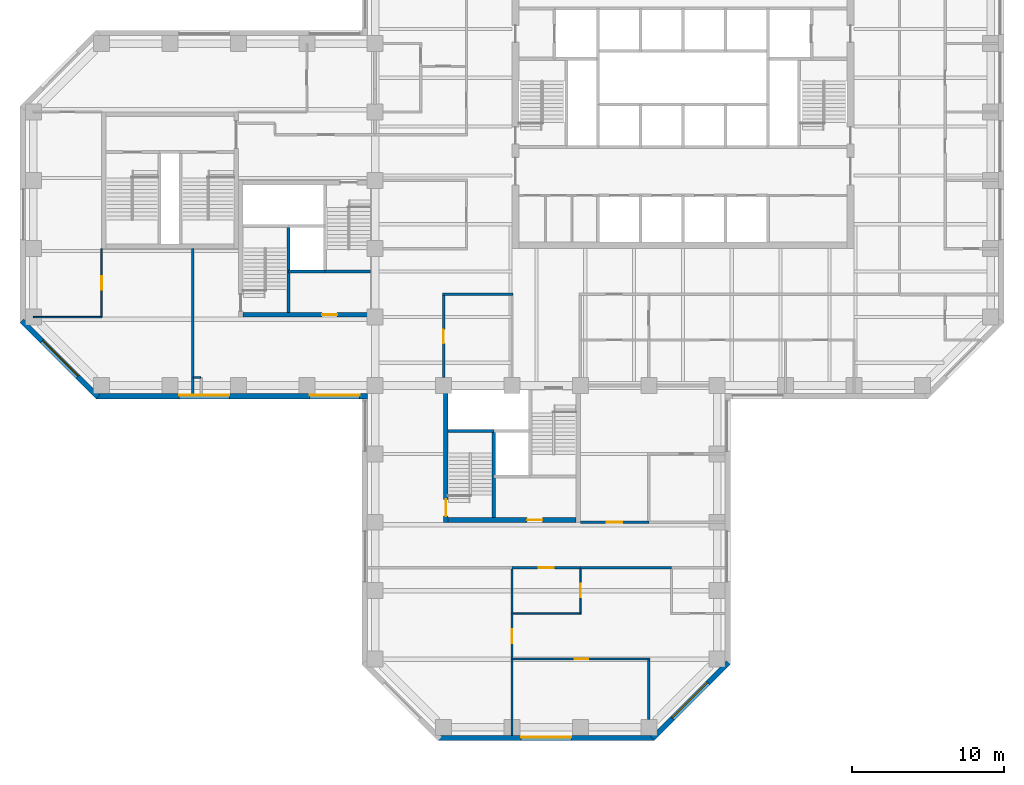
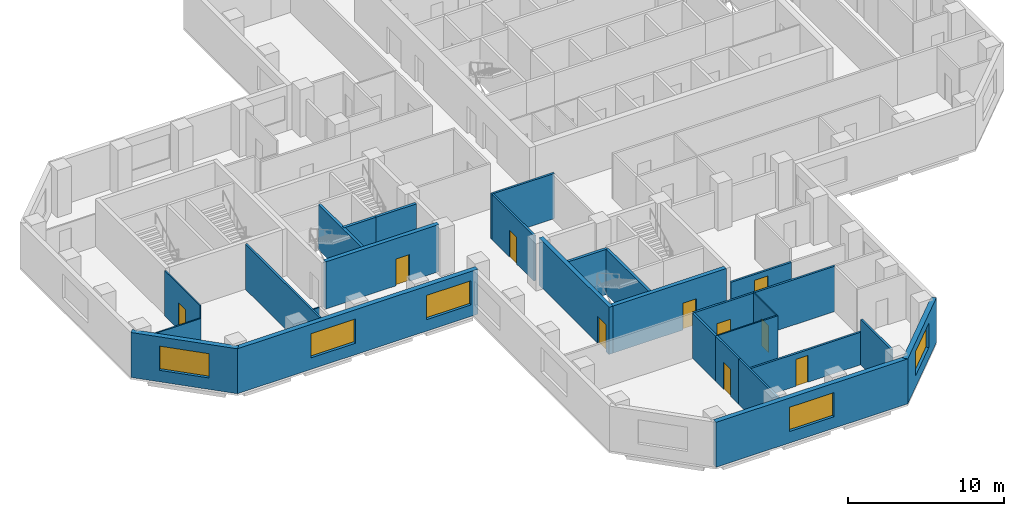
# One storey, part 3 of 11: 28 walls, 10 doors, 5 windows, 15 openings.
"""IFC4 building model written with IfcOpenShell, lengths in metres."""

from ifc_helpers import new_model, si_unit, direction, frame, frame_2d, origin, place, context, subcontext, project, spatial, rectangle, extrude, material, layer, layer_set, constituent, constituent_set, type_object, element, fill, save


model = new_model("IFC4")

# Units and contexts
model_context = context("Model", 3, precision=1e-05, world=origin(), true_north=direction((0.0, 1.0)))
body_context = subcontext(model_context, "Body", "Model", "MODEL_VIEW")
ifc_project = project(units=[si_unit("LENGTHUNIT", "METRE"), si_unit("AREAUNIT", "SQUARE_METRE"), si_unit("VOLUMEUNIT", "CUBIC_METRE"), si_unit("PLANEANGLEUNIT", "RADIAN"), si_unit("MASSUNIT", "GRAM", prefix="KILO")], contexts=[model_context])

# Site, building, storey
site_placement = place(None, origin())
site = spatial("IfcSite", under=ifc_project, at=site_placement, CompositionType="ELEMENT")
building_placement = place(site_placement, origin())
building = spatial("IfcBuilding", under=site, at=building_placement, Name="Quoin Convention Tower", CompositionType="ELEMENT")
storey_placement = place(building_placement, frame((0.0, 0.0, 101.10009765625)))
storey = spatial("IfcBuildingStorey", under=building, at=storey_placement, Name="L26", CompositionType="ELEMENT", Elevation=101.10009765625)

# Walls
ifc_material_1 = material(Name="Plasterboard")
ifc_layer_1 = layer(ifc_material_1, 0.012451171875, Name="Finish")
ifc_material_2 = material(Name="Steel stud framing", Category="steel")
ifc_layer_2 = layer(ifc_material_2, 0.125, Name="Structure")
ifc_layer_3 = layer(ifc_material_1, 0.012451171875, Name="Finish")
ifc_layer_set_1 = layer_set([ifc_layer_1, ifc_layer_2, ifc_layer_3], Name="Steel stud framing")
wall_type_1 = type_object("IfcWallType", Name="Acoustic partition 150", PredefinedType="PARTITIONING", material=ifc_layer_set_1)
wall_1_placement = place(storey_placement, frame((45.0, 17.47509765625, 0.0), z_axis=(0.0, 0.0, 1.0), x_axis=(0.0, 1.0, 0.0)))
element("IfcWall", 1, at=wall_1_placement, inside=storey, type_object=wall_type_1, Name="pw-L26-050", PredefinedType="PARTITIONING", context=body_context, shape_type="SweptSolid", body=[
    extrude(rectangle(XDim=5.02490234375, YDim=0.14990234375, at=frame_2d((2.512451171875, 0.0))), origin(), (0.0, 0.0, 1.0), 3.5498046875),
])
wall_2_placement = place(storey_placement, frame((54.0, 18.52490234375, 0.0), z_axis=(0.0, 0.0, 1.0), x_axis=(0.0, 1.0, 0.0)))
element("IfcWall", 2, at=wall_2_placement, inside=storey, type_object=wall_type_1, Name="pw-L26-051", PredefinedType="PARTITIONING", context=body_context, shape_type="SweptSolid", body=[
    extrude(rectangle(XDim=3.900146484375, YDim=0.14990234375, at=frame_2d((1.9501953125, 0.0))), origin(), (0.0, 0.0, 1.0), 3.5498046875),
])

# Wall, opening, door
wall_3_placement = place(storey_placement, frame((45.0, 22.5, 0.0), z_axis=(0.0, 0.0, 1.0), x_axis=(0.0, 1.0, 0.0)))
wall_3 = element("IfcWall", 3, at=wall_3_placement, inside=storey, type_object=wall_type_1, Name="pw-L26-052", PredefinedType="PARTITIONING", context=body_context, shape_type="SweptSolid", body=[
    extrude(rectangle(XDim=3.0, YDim=0.14990234375, at=frame_2d((1.5, 0.0))), origin(), (0.0, 0.0, 1.0), 3.5498046875),
])
opening_1_placement = place(wall_3_placement, frame((1.050048828125, 0.0, 0.0)))
opening_1 = element("IfcOpeningElement", 4, at=opening_1_placement, cuts=wall_3, Name="Opening DOL4-17", PredefinedType="OPENING", context=body_context, shape_type="SweptSolid", body=[
    extrude(rectangle(XDim=0.89990234375, YDim=2.10009765625, at=frame_2d((0.449951171875, 1.050048828125))), frame((0.0, 0.0849609375, 0.0), z_axis=(0.0, -1.0, 0.0), x_axis=(1.0, 0.0, 0.0)), (0.0, 0.0, 1.0), 0.169921875),
])
ifc_material_3 = material(Name="Steel door leaf", Category="steel")
door_type_1 = type_object("IfcDoorType", Name="Office door 900 x 2100", OperationType="SINGLE_SWING_RIGHT", PredefinedType="DOOR", material=ifc_material_3)
door_1_placement = place(opening_1_placement, origin())
door_1 = element("IfcDoor", 5, at=door_1_placement, inside=storey, type_object=door_type_1, Name="dr-L26-13", OperationType="SINGLE_SWING_RIGHT", OverallHeight=2.10009765625, OverallWidth=0.89990234375, PredefinedType="DOOR", context=body_context, shape_type="SweptSolid", body=[
    extrude(rectangle(XDim=0.89990234375, YDim=2.10009765625, at=frame_2d((0.449951171875, 1.050048828125))), frame((0.0, 0.02490234375, 0.0), z_axis=(0.0, -1.0, 0.0), x_axis=(1.0, 0.0, 0.0)), (0.0, 0.0, 1.0), 0.050048828125),
])
fill(opening_1, door_1)

# Wall
wall_4_placement = place(storey_placement, frame((45.0, 25.5, 0.0), z_axis=(0.0, 0.0, 1.0), x_axis=(0.0, 1.0, 0.0)))
element("IfcWall", 6, at=wall_4_placement, inside=storey, type_object=wall_type_1, Name="pw-L26-053", PredefinedType="PARTITIONING", context=body_context, shape_type="SweptSolid", body=[
    extrude(rectangle(XDim=2.925048828125, YDim=0.14990234375, at=frame_2d((1.46240234375, 0.0))), origin(), (0.0, 0.0, 1.0), 3.5498046875),
])

# Wall, opening, door
ifc_layer_4 = layer(ifc_material_1, 0.012451171875, Name="Finish")
ifc_layer_5 = layer(ifc_material_2, 0.125, Name="Structure")
ifc_layer_6 = layer(ifc_material_1, 0.012451171875, Name="Finish")
ifc_layer_set_2 = layer_set([ifc_layer_4, ifc_layer_5, ifc_layer_6], Name="Steel stud framing")
wall_type_2 = type_object("IfcWallType", Name="Acoustic partition 150 under beam 1000", PredefinedType="PARTITIONING", material=ifc_layer_set_2)
wall_5_placement = place(storey_placement, frame((45.074951171875, 22.5, 0.0), z_axis=(0.0, 0.0, 1.0), x_axis=(1.0, 0.0, 0.0)))
wall_5 = element("IfcWall", 7, at=wall_5_placement, inside=storey, type_object=wall_type_2, Name="pw-L26-001", PredefinedType="PARTITIONING", context=body_context, shape_type="SweptSolid", body=[
    extrude(rectangle(XDim=9.0, YDim=0.14990234375, at=frame_2d((4.5, 0.0))), origin(), (0.0, 0.0, 1.0), 2.5498046875),
])
opening_2_placement = place(wall_5_placement, frame((4.050048828125, 0.0, 0.0)))
opening_2 = element("IfcOpeningElement", 8, at=opening_2_placement, cuts=wall_5, Name="Opening DOL4-01", PredefinedType="OPENING", context=body_context, shape_type="SweptSolid", body=[
    extrude(rectangle(XDim=0.89990234375, YDim=2.10009765625, at=frame_2d((0.449951171875, 1.050048828125))), frame((0.0, 0.0849609375, 0.0), z_axis=(0.0, -1.0, 0.0), x_axis=(1.0, 0.0, 0.0)), (0.0, 0.0, 1.0), 0.169921875),
])
door_2_placement = place(opening_2_placement, origin())
door_2 = element("IfcDoor", 9, at=door_2_placement, inside=storey, type_object=door_type_1, Name="dr-L26-14", OperationType="SINGLE_SWING_RIGHT", OverallHeight=2.10009765625, OverallWidth=0.89990234375, PredefinedType="DOOR", context=body_context, shape_type="SweptSolid", body=[
    extrude(rectangle(XDim=0.89990234375, YDim=2.10009765625, at=frame_2d((0.449951171875, 1.050048828125))), frame((0.0, 0.02490234375, 0.0), z_axis=(0.0, -1.0, 0.0), x_axis=(1.0, 0.0, 0.0)), (0.0, 0.0, 1.0), 0.050048828125),
])
fill(opening_2, door_2)

# Wall, opening, window
ifc_material_4 = material(Name="Brick masonry", Category="masonry")
ifc_layer_7 = layer(ifc_material_4, 0.35009765625)
ifc_layer_set_3 = layer_set([ifc_layer_7], Name="Brick masonry")
wall_type_3 = type_object("IfcWallType", Name="Brick facade wall", PredefinedType="STANDARD", material=ifc_layer_set_3)
wall_6_placement = place(storey_placement, frame((12.748779296875, 44.76123046875, 0.0), z_axis=(0.0, 0.0, 1.0), x_axis=(0.707106781187, -0.707106781187, 0.0)))
wall_6 = element("IfcWall", 10, at=wall_6_placement, inside=storey, type_object=wall_type_3, Name="fw-L26-13500_45000", PredefinedType="STANDARD", context=body_context, shape_type="SweptSolid", body=[
    extrude(rectangle(XDim=7.088623046875, YDim=0.35009765625, at=frame_2d((3.54443359375, 0.0))), origin(), (0.0, 0.0, 1.0), 3.52490234375),
])
opening_3_placement = place(wall_6_placement, frame((1.894287109375, 0.0, 0.89990234375)))
opening_3 = element("IfcOpeningElement", 11, at=opening_3_placement, cuts=wall_6, Name="Opening W-02", PredefinedType="OPENING", context=body_context, shape_type="SweptSolid", body=[
    extrude(rectangle(XDim=3.300048828125, YDim=1.89990234375, at=frame_2d((1.64990234375, 0.949951171875))), frame((0.0, 0.18505859375, 0.0), z_axis=(0.0, -1.0, 0.0), x_axis=(1.0, 0.0, 0.0)), (0.0, 0.0, 1.0), 0.3701171875),
])
ifc_material_5 = material(Name="Aluminium", Category="aluminium")
ifc_constituent_1 = constituent(ifc_material_5, Name="Frame")
ifc_material_6 = material(Name="Insulated glass", Category="glass")
ifc_constituent_2 = constituent(ifc_material_6, Name="Glazing")
ifc_constituent_set = constituent_set(constituents=[ifc_constituent_1, ifc_constituent_2], Name="Aluminium")
window_type = type_object("IfcWindowType", Name="Office window", PartitioningType="DOUBLE_PANEL_VERTICAL", PredefinedType="WINDOW", material=ifc_constituent_set)
window_1_placement = place(opening_3_placement, origin())
window_1 = element("IfcWindow", 12, at=window_1_placement, inside=storey, type_object=window_type, Name="win-L26-15255_42255", OverallHeight=1.89990234375, OverallWidth=3.300048828125, PartitioningType="SINGLE_PANEL", PredefinedType="WINDOW", context=body_context, shape_type="SweptSolid", body=[
    extrude(rectangle(XDim=3.300048828125, YDim=1.89990234375, at=frame_2d((1.64990234375, 0.949951171875))), frame((0.0, 0.0849609375, 0.0), z_axis=(0.0, -1.0, 0.0), x_axis=(1.0, 0.0, 0.0)), (0.0, 0.0, 1.0), 0.06005859375),
])
fill(opening_3, window_1)

# Wall, openings, windows
wall_7_placement = place(storey_placement, frame((17.6376953125, 39.800048828125, 0.0), z_axis=(0.0, 0.0, 1.0), x_axis=(1.0, 0.0, 0.0)))
wall_7 = element("IfcWall", 13, at=wall_7_placement, inside=storey, type_object=wall_type_3, Name="fw-L26-18000_40500", PredefinedType="STANDARD", context=body_context, shape_type="SweptSolid", body=[
    extrude(rectangle(XDim=17.83740234375, YDim=0.35009765625, at=frame_2d((8.918701171875, 0.0))), origin(), (0.0, 0.0, 1.0), 3.52490234375),
])
opening_4_placement = place(wall_7_placement, frame((5.46240234375, 0.0, 0.89990234375)))
opening_4 = element("IfcOpeningElement", 14, at=opening_4_placement, cuts=wall_7, Name="Opening W-02", PredefinedType="OPENING", context=body_context, shape_type="SweptSolid", body=[
    extrude(rectangle(XDim=3.300048828125, YDim=1.89990234375, at=frame_2d((1.64990234375, 0.949951171875))), frame((0.0, 0.18505859375, 0.0), z_axis=(0.0, -1.0, 0.0), x_axis=(1.0, 0.0, 0.0)), (0.0, 0.0, 1.0), 0.3701171875),
])
opening_5_placement = place(wall_7_placement, frame((14.037353515625, 0.0, 0.89990234375)))
opening_5 = element("IfcOpeningElement", 15, at=opening_5_placement, cuts=wall_7, Name="Opening W-02", PredefinedType="OPENING", context=body_context, shape_type="SweptSolid", body=[
    extrude(rectangle(XDim=3.300048828125, YDim=1.89990234375, at=frame_2d((1.64990234375, 0.949951171875))), frame((0.0, 0.18505859375, 0.0), z_axis=(0.0, -1.0, 0.0), x_axis=(1.0, 0.0, 0.0)), (0.0, 0.0, 1.0), 0.3701171875),
])
window_2_placement = place(opening_4_placement, origin())
window_2 = element("IfcWindow", 16, at=window_2_placement, inside=storey, type_object=window_type, Name="win-L26-24750_39800", OverallHeight=1.89990234375, OverallWidth=3.300048828125, PartitioningType="SINGLE_PANEL", PredefinedType="WINDOW", context=body_context, shape_type="SweptSolid", body=[
    extrude(rectangle(XDim=3.300048828125, YDim=1.89990234375, at=frame_2d((1.64990234375, 0.949951171875))), frame((0.0, 0.0849609375, 0.0), z_axis=(0.0, -1.0, 0.0), x_axis=(1.0, 0.0, 0.0)), (0.0, 0.0, 1.0), 0.06005859375),
])
fill(opening_4, window_2)
window_3_placement = place(opening_5_placement, origin())
window_3 = element("IfcWindow", 17, at=window_3_placement, inside=storey, type_object=window_type, Name="win-L26-33750_39800", OverallHeight=1.89990234375, OverallWidth=3.300048828125, PartitioningType="SINGLE_PANEL", PredefinedType="WINDOW", context=body_context, shape_type="SweptSolid", body=[
    extrude(rectangle(XDim=3.300048828125, YDim=1.89990234375, at=frame_2d((1.64990234375, 0.949951171875))), frame((0.0, 0.0849609375, 0.0), z_axis=(0.0, -1.0, 0.0), x_axis=(1.0, 0.0, 0.0)), (0.0, 0.0, 1.0), 0.06005859375),
])
fill(opening_5, window_3)

# Wall, opening, window
wall_8_placement = place(storey_placement, frame((40.1376953125, 17.300048828125, 0.0), z_axis=(0.0, 0.0, 1.0), x_axis=(1.0, 0.0, 0.0)))
wall_8 = element("IfcWall", 18, at=wall_8_placement, inside=storey, type_object=wall_type_3, Name="fw-L26-40500_18000", PredefinedType="STANDARD", context=body_context, shape_type="SweptSolid", body=[
    extrude(rectangle(XDim=14.224609375, YDim=0.35009765625, at=frame_2d((7.1123046875, 0.0))), origin(), (0.0, 0.0, 1.0), 3.52490234375),
])
opening_6_placement = place(wall_8_placement, frame((5.46240234375, 0.0, 0.89990234375)))
opening_6 = element("IfcOpeningElement", 19, at=opening_6_placement, cuts=wall_8, Name="Opening W-02", PredefinedType="OPENING", context=body_context, shape_type="SweptSolid", body=[
    extrude(rectangle(XDim=3.300048828125, YDim=1.89990234375, at=frame_2d((1.64990234375, 0.949951171875))), frame((0.0, 0.18505859375, 0.0), z_axis=(0.0, -1.0, 0.0), x_axis=(1.0, 0.0, 0.0)), (0.0, 0.0, 1.0), 0.3701171875),
])
window_4_placement = place(opening_6_placement, origin())
window_4 = element("IfcWindow", 20, at=window_4_placement, inside=storey, type_object=window_type, Name="win-L26-47250_17300", OverallHeight=1.89990234375, OverallWidth=3.300048828125, PartitioningType="SINGLE_PANEL", PredefinedType="WINDOW", context=body_context, shape_type="SweptSolid", body=[
    extrude(rectangle(XDim=3.300048828125, YDim=1.89990234375, at=frame_2d((1.64990234375, 0.949951171875))), frame((0.0, 0.0849609375, 0.0), z_axis=(0.0, -1.0, 0.0), x_axis=(1.0, 0.0, 0.0)), (0.0, 0.0, 1.0), 0.06005859375),
])
fill(opening_6, window_4)

wall_9_placement = place(storey_placement, frame((54.23876953125, 17.248779296875, 0.0), z_axis=(0.0, 0.0, 1.0), x_axis=(0.707106781187, 0.707106781187, 0.0)))
wall_9 = element("IfcWall", 21, at=wall_9_placement, inside=storey, type_object=wall_type_3, Name="fw-L26-54000_18000", PredefinedType="STANDARD", context=body_context, shape_type="SweptSolid", body=[
    extrude(rectangle(XDim=7.088623046875, YDim=0.35009765625, at=frame_2d((3.54443359375, 0.0))), origin(), (0.0, 0.0, 1.0), 3.52490234375),
])
opening_7_placement = place(wall_9_placement, frame((1.894287109375, 0.0, 0.89990234375)))
opening_7 = element("IfcOpeningElement", 22, at=opening_7_placement, cuts=wall_9, Name="Opening W-02", PredefinedType="OPENING", context=body_context, shape_type="SweptSolid", body=[
    extrude(rectangle(XDim=3.300048828125, YDim=1.89990234375, at=frame_2d((1.64990234375, 0.949951171875))), frame((0.0, 0.18505859375, 0.0), z_axis=(0.0, -1.0, 0.0), x_axis=(1.0, 0.0, 0.0)), (0.0, 0.0, 1.0), 0.3701171875),
])
window_5_placement = place(opening_7_placement, origin())
window_5 = element("IfcWindow", 23, at=window_5_placement, inside=storey, type_object=window_type, Name="win-L26-56745_19755", OverallHeight=1.89990234375, OverallWidth=3.300048828125, PartitioningType="SINGLE_PANEL", PredefinedType="WINDOW", context=body_context, shape_type="SweptSolid", body=[
    extrude(rectangle(XDim=3.300048828125, YDim=1.89990234375, at=frame_2d((1.64990234375, 0.949951171875))), frame((0.0, 0.0849609375, 0.0), z_axis=(0.0, -1.0, 0.0), x_axis=(1.0, 0.0, 0.0)), (0.0, 0.0, 1.0), 0.06005859375),
])
fill(opening_7, window_5)

# Walls
ifc_material_7 = material(Name="Concrete C50", Category="concrete")
ifc_layer_8 = layer(ifc_material_7, 0.199951171875)
ifc_layer_set_4 = layer_set([ifc_layer_8], Name="Concrete C50")
wall_type_4 = type_object("IfcWallType", Name="Core shaft wall", PredefinedType="SOLIDWALL", material=ifc_layer_set_4)
wall_10_placement = place(storey_placement, frame((30.300048828125, 48.0, 0.0), z_axis=(0.0, 0.0, 1.0), x_axis=(1.0, 0.0, 0.0)))
element("IfcWall", 24, at=wall_10_placement, inside=storey, type_object=wall_type_4, Name="cr-P2-L26-h3000_3300", PredefinedType="SOLIDWALL", context=body_context, shape_type="SweptSolid", body=[
    extrude(rectangle(XDim=2.39990234375, YDim=0.199951171875, at=frame_2d((1.199951171875, 0.0))), origin(), (0.0, 0.0, 1.0), 3.5498046875),
])
wall_11_placement = place(storey_placement, frame((32.699951171875, 48.0, 0.0), z_axis=(0.0, 0.0, 1.0), x_axis=(1.0, 0.0, 0.0)))
element("IfcWall", 25, at=wall_11_placement, inside=storey, type_object=wall_type_4, Name="cr-P2-L26-h3000_5700", PredefinedType="SOLIDWALL", context=body_context, shape_type="SweptSolid", body=[
    extrude(rectangle(XDim=3.0, YDim=0.199951171875, at=frame_2d((1.5, 0.0))), origin(), (0.0, 0.0, 1.0), 3.5498046875),
])
wall_12_placement = place(storey_placement, frame((30.300048828125, 45.300048828125, 0.0), z_axis=(0.0, 0.0, 1.0), x_axis=(0.0, 1.0, 0.0)))
element("IfcWall", 26, at=wall_12_placement, inside=storey, type_object=wall_type_4, Name="cr-P2-L26-v3300_300", PredefinedType="SOLIDWALL", context=body_context, shape_type="SweptSolid", body=[
    extrude(rectangle(XDim=5.699951171875, YDim=0.199951171875, at=frame_2d((2.85009765625, 0.0))), origin(), (0.0, 0.0, 1.0), 3.5498046875),
])
wall_13_placement = place(storey_placement, frame((40.800048828125, 37.5, 0.0), z_axis=(0.0, 0.0, 1.0), x_axis=(1.0, 0.0, 0.0)))
element("IfcWall", 27, at=wall_13_placement, inside=storey, type_object=wall_type_4, Name="cr-P3-L26-h6000_300", PredefinedType="SOLIDWALL", context=body_context, shape_type="SweptSolid", body=[
    extrude(rectangle(XDim=3.0, YDim=0.199951171875, at=frame_2d((1.5, 0.0))), origin(), (0.0, 0.0, 1.0), 3.5498046875),
])
wall_14_placement = place(storey_placement, frame((43.800048828125, 31.800048828125, 0.0), z_axis=(0.0, 0.0, 1.0), x_axis=(0.0, 1.0, 0.0)))
element("IfcWall", 28, at=wall_14_placement, inside=storey, type_object=wall_type_4, Name="cr-P3-L26-v3300_300", PredefinedType="SOLIDWALL", context=body_context, shape_type="SweptSolid", body=[
    extrude(rectangle(XDim=5.699951171875, YDim=0.199951171875, at=frame_2d((2.85009765625, 0.0))), origin(), (0.0, 0.0, 1.0), 3.5498046875),
])

# Wall, opening, door
ifc_layer_9 = layer(ifc_material_1, 0.012451171875, Name="Finish")
ifc_layer_10 = layer(ifc_material_2, 0.125, Name="Structure")
ifc_layer_11 = layer(ifc_material_1, 0.012451171875, Name="Finish")
ifc_layer_set_5 = layer_set([ifc_layer_9, ifc_layer_10, ifc_layer_11], Name="Steel stud framing")
wall_type_5 = type_object("IfcWallType", Name="Corridor wall 150", PredefinedType="PARTITIONING", material=ifc_layer_set_5)
wall_15_placement = place(storey_placement, frame((45.0, 28.5, 0.0), z_axis=(0.0, 0.0, 1.0), x_axis=(1.0, 0.0, 0.0)))
wall_15 = element("IfcWall", 29, at=wall_15_placement, inside=storey, type_object=wall_type_5, Name="pw-L26-005", PredefinedType="PARTITIONING", context=body_context, shape_type="SweptSolid", body=[
    extrude(rectangle(XDim=4.5, YDim=0.14990234375, at=frame_2d((2.25, 0.0))), origin(), (0.0, 0.0, 1.0), 3.5498046875),
])
opening_8_placement = place(wall_15_placement, frame((1.75, 0.0, 0.0)))
opening_8 = element("IfcOpeningElement", 30, at=opening_8_placement, cuts=wall_15, Name="Opening DOL4-03", PredefinedType="OPENING", context=body_context, shape_type="SweptSolid", body=[
    extrude(rectangle(XDim=1.0, YDim=2.10009765625, at=frame_2d((0.5, 1.050048828125))), frame((0.0, 0.0849609375, 0.0), z_axis=(0.0, -1.0, 0.0), x_axis=(1.0, 0.0, 0.0)), (0.0, 0.0, 1.0), 0.169921875),
])
door_type_2 = type_object("IfcDoorType", Name="Tenancy entrance door 1000 x 2100", OperationType="DOUBLE_DOOR_SINGLE_SWING", PredefinedType="DOOR", material=ifc_material_3)
door_3_placement = place(opening_8_placement, frame((1.0, 0.0, 0.0), z_axis=(0.0, 0.0, 1.0), x_axis=(-1.0, 0.0, 0.0)))
door_3 = element("IfcDoor", 31, at=door_3_placement, inside=storey, type_object=door_type_2, Name="dr-L26-10", OperationType="DOUBLE_DOOR_SINGLE_SWING", OverallHeight=2.10009765625, OverallWidth=1.0, PredefinedType="DOOR", context=body_context, shape_type="SweptSolid", body=[
    extrude(rectangle(XDim=1.0, YDim=2.10009765625, at=frame_2d((0.5, 1.050048828125))), frame((0.0, 0.02490234375, 0.0), z_axis=(0.0, -1.0, 0.0), x_axis=(1.0, 0.0, 0.0)), (0.0, 0.0, 1.0), 0.050048828125),
])
fill(opening_8, door_3)

# Walls
wall_16_placement = place(storey_placement, frame((49.5, 28.5, 0.0), z_axis=(0.0, 0.0, 1.0), x_axis=(1.0, 0.0, 0.0)))
element("IfcWall", 32, at=wall_16_placement, inside=storey, type_object=wall_type_5, Name="pw-L26-006", PredefinedType="PARTITIONING", context=body_context, shape_type="SweptSolid", body=[
    extrude(rectangle(XDim=6.0, YDim=0.14990234375, at=frame_2d((3.0, 0.0))), origin(), (0.0, 0.0, 1.0), 3.5498046875),
])
wall_17_placement = place(storey_placement, frame((40.425048828125, 46.5, 0.0), z_axis=(0.0, 0.0, 1.0), x_axis=(1.0, 0.0, 0.0)))
element("IfcWall", 33, at=wall_17_placement, inside=storey, type_object=wall_type_5, Name="pw-L26-017", PredefinedType="PARTITIONING", context=body_context, shape_type="SweptSolid", body=[
    extrude(rectangle(XDim=4.64990234375, YDim=0.14990234375, at=frame_2d((2.324951171875, 0.0))), origin(), (0.0, 0.0, 1.0), 3.5498046875),
])
wall_18_placement = place(storey_placement, frame((24.0, 39.97509765625, 0.0), z_axis=(0.0, 0.0, 1.0), x_axis=(0.0, 1.0, 0.0)))
element("IfcWall", 34, at=wall_18_placement, inside=storey, type_object=wall_type_5, Name="pw-L26-057", PredefinedType="PARTITIONING", context=body_context, shape_type="SweptSolid", body=[
    extrude(rectangle(XDim=9.52490234375, YDim=0.14990234375, at=frame_2d((4.762451171875, 0.0))), origin(), (0.0, 0.0, 1.0), 3.5498046875),
])

# Wall, opening, door
wall_19_placement = place(storey_placement, frame((40.5, 41.02490234375, 0.0), z_axis=(0.0, 0.0, 1.0), x_axis=(0.0, 1.0, 0.0)))
wall_19 = element("IfcWall", 35, at=wall_19_placement, inside=storey, type_object=wall_type_5, Name="pw-L26-060", PredefinedType="PARTITIONING", context=body_context, shape_type="SweptSolid", body=[
    extrude(rectangle(XDim=5.400146484375, YDim=0.14990234375, at=frame_2d((2.7001953125, 0.0))), origin(), (0.0, 0.0, 1.0), 3.5498046875),
])
opening_9_placement = place(wall_19_placement, frame((2.25, 0.0, 0.0)))
opening_9 = element("IfcOpeningElement", 36, at=opening_9_placement, cuts=wall_19, Name="Opening DOL4-19", PredefinedType="OPENING", context=body_context, shape_type="SweptSolid", body=[
    extrude(rectangle(XDim=0.89990234375, YDim=2.10009765625, at=frame_2d((0.449951171875, 1.050048828125))), frame((0.0, 0.0849609375, 0.0), z_axis=(0.0, -1.0, 0.0), x_axis=(1.0, 0.0, 0.0)), (0.0, 0.0, 1.0), 0.169921875),
])
door_4_placement = place(opening_9_placement, frame((0.89990234375, 0.0, 0.0), z_axis=(0.0, 0.0, 1.0), x_axis=(-1.0, 0.0, 0.0)))
door_4 = element("IfcDoor", 37, at=door_4_placement, inside=storey, type_object=door_type_1, Name="dr-L26-02", OperationType="SINGLE_SWING_LEFT", OverallHeight=2.10009765625, OverallWidth=0.89990234375, PredefinedType="DOOR", context=body_context, shape_type="SweptSolid", body=[
    extrude(rectangle(XDim=0.89990234375, YDim=2.10009765625, at=frame_2d((0.449951171875, 1.050048828125))), frame((0.0, 0.02490234375, 0.0), z_axis=(0.0, -1.0, 0.0), x_axis=(1.0, 0.0, 0.0)), (0.0, 0.0, 1.0), 0.050048828125),
])
fill(opening_9, door_4)

ifc_layer_12 = layer(ifc_material_1, 0.012451171875, Name="Finish")
ifc_layer_13 = layer(ifc_material_2, 0.125, Name="Structure")
ifc_layer_14 = layer(ifc_material_1, 0.012451171875, Name="Finish")
ifc_layer_set_6 = layer_set([ifc_layer_12, ifc_layer_13, ifc_layer_14], Name="Steel stud framing")
wall_type_6 = type_object("IfcWallType", Name="Corridor wall 150 under beam 1000", PredefinedType="PARTITIONING", material=ifc_layer_set_6)
wall_20_placement = place(storey_placement, frame((49.5, 31.5, 0.0), z_axis=(0.0, 0.0, 1.0), x_axis=(1.0, 0.0, 0.0)))
wall_20 = element("IfcWall", 38, at=wall_20_placement, inside=storey, type_object=wall_type_6, Name="pw-L26-008", PredefinedType="PARTITIONING", context=body_context, shape_type="SweptSolid", body=[
    extrude(rectangle(XDim=4.5, YDim=0.14990234375, at=frame_2d((2.25, 0.0))), origin(), (0.0, 0.0, 1.0), 2.5498046875),
])
opening_10_placement = place(wall_20_placement, frame((1.75, 0.0, 0.0)))
opening_10 = element("IfcOpeningElement", 39, at=opening_10_placement, cuts=wall_20, Name="Opening DOL4-04", PredefinedType="OPENING", context=body_context, shape_type="SweptSolid", body=[
    extrude(rectangle(XDim=1.0, YDim=2.10009765625, at=frame_2d((0.5, 1.050048828125))), frame((0.0, 0.0849609375, 0.0), z_axis=(0.0, -1.0, 0.0), x_axis=(1.0, 0.0, 0.0)), (0.0, 0.0, 1.0), 0.169921875),
])
door_5_placement = place(opening_10_placement, origin())
door_5 = element("IfcDoor", 40, at=door_5_placement, inside=storey, type_object=door_type_2, Name="dr-L26-15", OperationType="DOUBLE_DOOR_SINGLE_SWING", OverallHeight=2.10009765625, OverallWidth=1.0, PredefinedType="DOOR", context=body_context, shape_type="SweptSolid", body=[
    extrude(rectangle(XDim=1.0, YDim=2.10009765625, at=frame_2d((0.5, 1.050048828125))), frame((0.0, 0.02490234375, 0.0), z_axis=(0.0, -1.0, 0.0), x_axis=(1.0, 0.0, 0.0)), (0.0, 0.0, 1.0), 0.050048828125),
])
fill(opening_10, door_5)

ifc_material_8 = material(Name="Concrete C65", Category="concrete")
ifc_layer_15 = layer(ifc_material_8, 0.300048828125)
ifc_layer_set_7 = layer_set([ifc_layer_15], Name="Concrete C65")
wall_type_7 = type_object("IfcWallType", Name="RC CORE WALL 300 C65", PredefinedType="SHEAR", material=ifc_layer_set_7)
wall_21_placement = place(storey_placement, frame((27.300048828125, 45.14990234375, 0.0), z_axis=(0.0, 0.0, 1.0), x_axis=(1.0, 0.0, 0.0)))
wall_21 = element("IfcWall", 41, at=wall_21_placement, inside=storey, type_object=wall_type_7, Name="cwl-P2-L26-S", PredefinedType="SHEAR", context=body_context, shape_type="SweptSolid", body=[
    extrude(rectangle(XDim=8.39990234375, YDim=0.300048828125, at=frame_2d((4.199951171875, 0.0))), origin(), (0.0, 0.0, 1.0), 3.699951171875),
])
opening_11_placement = place(wall_21_placement, frame((5.199951171875, 0.0, 0.0)))
opening_11 = element("IfcOpeningElement", 42, at=opening_11_placement, cuts=wall_21, Name="Opening DCV3-41", PredefinedType="OPENING", context=body_context, shape_type="SweptSolid", body=[
    extrude(rectangle(XDim=1.0, YDim=2.10009765625, at=frame_2d((0.5, 1.050048828125))), frame((0.0, 0.159912109375, 0.0), z_axis=(0.0, -1.0, 0.0), x_axis=(1.0, 0.0, 0.0)), (0.0, 0.0, 1.0), 0.320068359375),
])
door_type_3 = type_object("IfcDoorType", Name="Service door 1000 x 2100", OperationType="SINGLE_SWING_LEFT", PredefinedType="DOOR", material=ifc_material_3)
door_6_placement = place(opening_11_placement, origin())
door_6 = element("IfcDoor", 43, at=door_6_placement, inside=storey, type_object=door_type_3, Name="cd-P2-L26-R2-S", OperationType="SINGLE_SWING_LEFT", OverallHeight=2.10009765625, OverallWidth=1.0, PredefinedType="DOOR", context=body_context, shape_type="SweptSolid", body=[
    extrude(rectangle(XDim=1.0, YDim=2.10009765625, at=frame_2d((0.5, 1.050048828125))), frame((0.0, 0.02490234375, 0.0), z_axis=(0.0, -1.0, 0.0), x_axis=(1.0, 0.0, 0.0)), (0.0, 0.0, 1.0), 0.050048828125),
])
fill(opening_11, door_6)

wall_22_placement = place(storey_placement, frame((40.800048828125, 31.64990234375, 0.0), z_axis=(0.0, 0.0, 1.0), x_axis=(1.0, 0.0, 0.0)))
wall_22 = element("IfcWall", 44, at=wall_22_placement, inside=storey, type_object=wall_type_7, Name="cwl-P3-L26-S", PredefinedType="SHEAR", context=body_context, shape_type="SweptSolid", body=[
    extrude(rectangle(XDim=8.39990234375, YDim=0.300048828125, at=frame_2d((4.199951171875, 0.0))), origin(), (0.0, 0.0, 1.0), 3.699951171875),
])
opening_12_placement = place(wall_22_placement, frame((5.199951171875, 0.0, 0.0)))
opening_12 = element("IfcOpeningElement", 45, at=opening_12_placement, cuts=wall_22, Name="Opening DCV3-42", PredefinedType="OPENING", context=body_context, shape_type="SweptSolid", body=[
    extrude(rectangle(XDim=1.0, YDim=2.10009765625, at=frame_2d((0.5, 1.050048828125))), frame((0.0, 0.159912109375, 0.0), z_axis=(0.0, -1.0, 0.0), x_axis=(1.0, 0.0, 0.0)), (0.0, 0.0, 1.0), 0.320068359375),
])
door_7_placement = place(opening_12_placement, origin())
door_7 = element("IfcDoor", 46, at=door_7_placement, inside=storey, type_object=door_type_3, Name="cd-P3-L26-R2-S", OperationType="SINGLE_SWING_LEFT", OverallHeight=2.10009765625, OverallWidth=1.0, PredefinedType="DOOR", context=body_context, shape_type="SweptSolid", body=[
    extrude(rectangle(XDim=1.0, YDim=2.10009765625, at=frame_2d((0.5, 1.050048828125))), frame((0.0, 0.02490234375, 0.0), z_axis=(0.0, -1.0, 0.0), x_axis=(1.0, 0.0, 0.0)), (0.0, 0.0, 1.0), 0.050048828125),
])
fill(opening_12, door_7)

wall_23_placement = place(storey_placement, frame((40.64990234375, 31.5, 0.0), z_axis=(0.0, 0.0, 1.0), x_axis=(0.0, 1.0, 0.0)))
wall_23 = element("IfcWall", 47, at=wall_23_placement, inside=storey, type_object=wall_type_7, Name="cwl-P3-L26-W", PredefinedType="SHEAR", context=body_context, shape_type="SweptSolid", body=[
    extrude(rectangle(XDim=9.0, YDim=0.300048828125, at=frame_2d((4.5, 0.0))), origin(), (0.0, 0.0, 1.0), 3.699951171875),
])
opening_13_placement = place(wall_23_placement, frame((0.39990234375, 0.0, 0.0)))
opening_13 = element("IfcOpeningElement", 48, at=opening_13_placement, cuts=wall_23, Name="Opening SD5", PredefinedType="OPENING", context=body_context, shape_type="SweptSolid", body=[
    extrude(rectangle(XDim=1.10009765625, YDim=2.10009765625, at=frame_2d((0.550048828125, 1.050048828125))), frame((0.0, 0.159912109375, 0.0), z_axis=(0.0, -1.0, 0.0), x_axis=(1.0, 0.0, 0.0)), (0.0, 0.0, 1.0), 0.320068359375),
])
door_type_4 = type_object("IfcDoorType", Name="Stair door 1100 x 2100", OperationType="SINGLE_SWING_RIGHT", PredefinedType="DOOR", material=ifc_material_3)
door_8_placement = place(opening_13_placement, frame((1.10009765625, 0.0, 0.0), z_axis=(0.0, 0.0, 1.0), x_axis=(-1.0, 0.0, 0.0)))
door_8 = element("IfcDoor", 49, at=door_8_placement, inside=storey, type_object=door_type_4, Name="cd-P3-L26-SA-W", OperationType="SINGLE_SWING_RIGHT", OverallHeight=2.10009765625, OverallWidth=1.10009765625, PredefinedType="DOOR", context=body_context, shape_type="SweptSolid", body=[
    extrude(rectangle(XDim=1.10009765625, YDim=2.10009765625, at=frame_2d((0.550048828125, 1.050048828125))), frame((0.0, 0.02490234375, 0.0), z_axis=(0.0, -1.0, 0.0), x_axis=(1.0, 0.0, 0.0)), (0.0, 0.0, 1.0), 0.050048828125),
])
fill(opening_13, door_8)

# Wall
ifc_layer_16 = layer(ifc_material_1, 0.012451171875, Name="Finish")
ifc_layer_17 = layer(ifc_material_2, 0.074951171875, Name="Structure")
ifc_layer_18 = layer(ifc_material_1, 0.012451171875, Name="Finish")
ifc_layer_set_8 = layer_set([ifc_layer_16, ifc_layer_17, ifc_layer_18], Name="Steel stud framing")
wall_type_8 = type_object("IfcWallType", Name="Stud partition 100", PredefinedType="PARTITIONING", material=ifc_layer_set_8)
wall_24_placement = place(storey_placement, frame((45.074951171875, 25.5, 0.0), z_axis=(0.0, 0.0, 1.0), x_axis=(1.0, 0.0, 0.0)))
element("IfcWall", 50, at=wall_24_placement, inside=storey, type_object=wall_type_8, Name="pw-L26-002", PredefinedType="PARTITIONING", context=body_context, shape_type="SweptSolid", body=[
    extrude(rectangle(XDim=4.47509765625, YDim=0.10009765625, at=frame_2d((2.237548828125, 0.0))), origin(), (0.0, 0.0, 1.0), 3.5498046875),
])

# Wall, opening, door
wall_25_placement = place(storey_placement, frame((49.5, 25.550048828125, 0.0), z_axis=(0.0, 0.0, 1.0), x_axis=(0.0, 1.0, 0.0)))
wall_25 = element("IfcWall", 51, at=wall_25_placement, inside=storey, type_object=wall_type_8, Name="pw-L26-054", PredefinedType="PARTITIONING", context=body_context, shape_type="SweptSolid", body=[
    extrude(rectangle(XDim=2.875, YDim=0.10009765625, at=frame_2d((1.4375, 0.0))), origin(), (0.0, 0.0, 1.0), 3.5498046875),
])
opening_14_placement = place(wall_25_placement, frame((1.0, 0.0, 0.0)))
opening_14 = element("IfcOpeningElement", 52, at=opening_14_placement, cuts=wall_25, Name="Opening DOL4-18", PredefinedType="OPENING", context=body_context, shape_type="SweptSolid", body=[
    extrude(rectangle(XDim=0.89990234375, YDim=2.10009765625, at=frame_2d((0.449951171875, 1.050048828125))), frame((0.0, 0.06005859375, 0.0), z_axis=(0.0, -1.0, 0.0), x_axis=(1.0, 0.0, 0.0)), (0.0, 0.0, 1.0), 0.1201171875),
])
door_9_placement = place(opening_14_placement, frame((0.89990234375, 0.0, 0.0), z_axis=(0.0, 0.0, 1.0), x_axis=(-1.0, 0.0, 0.0)))
door_9 = element("IfcDoor", 53, at=door_9_placement, inside=storey, type_object=door_type_1, Name="dr-L26-11", OperationType="SINGLE_SWING_LEFT", OverallHeight=2.10009765625, OverallWidth=0.89990234375, PredefinedType="DOOR", context=body_context, shape_type="SweptSolid", body=[
    extrude(rectangle(XDim=0.89990234375, YDim=2.10009765625, at=frame_2d((0.449951171875, 1.050048828125))), frame((0.0, 0.02490234375, 0.0), z_axis=(0.0, -1.0, 0.0), x_axis=(1.0, 0.0, 0.0)), (0.0, 0.0, 1.0), 0.050048828125),
])
fill(opening_14, door_9)

wall_26_placement = place(storey_placement, frame((18.0, 49.5, 0.0), z_axis=(0.0, 0.0, 1.0), x_axis=(0.0, -1.0, 0.0)))
wall_26 = element("IfcWall", 54, at=wall_26_placement, inside=storey, type_object=wall_type_8, Name="pw-L26-w04", PredefinedType="PARTITIONING", context=body_context, shape_type="SweptSolid", body=[
    extrude(rectangle(XDim=4.5, YDim=0.10009765625, at=frame_2d((2.25, 0.0))), origin(), (0.0, 0.0, 1.0), 3.5498046875),
])
opening_15_placement = place(wall_26_placement, frame((1.800048828125, 0.0, 0.0)))
opening_15 = element("IfcOpeningElement", 55, at=opening_15_placement, cuts=wall_26, Name="Opening DOL4-33", PredefinedType="OPENING", context=body_context, shape_type="SweptSolid", body=[
    extrude(rectangle(XDim=0.89990234375, YDim=2.10009765625, at=frame_2d((0.449951171875, 1.050048828125))), frame((0.0, 0.06005859375, 0.0), z_axis=(0.0, -1.0, 0.0), x_axis=(1.0, 0.0, 0.0)), (0.0, 0.0, 1.0), 0.1201171875),
])
door_10_placement = place(opening_15_placement, origin())
door_10 = element("IfcDoor", 56, at=door_10_placement, inside=storey, type_object=door_type_1, Name="dr-L26-w04", OperationType="SINGLE_SWING_LEFT", OverallHeight=2.10009765625, OverallWidth=0.89990234375, PredefinedType="DOOR", context=body_context, shape_type="SweptSolid", body=[
    extrude(rectangle(XDim=0.89990234375, YDim=2.10009765625, at=frame_2d((0.449951171875, 1.050048828125))), frame((0.0, 0.02490234375, 0.0), z_axis=(0.0, -1.0, 0.0), x_axis=(1.0, 0.0, 0.0)), (0.0, 0.0, 1.0), 0.050048828125),
])
fill(opening_15, door_10)

# Walls
wall_27_placement = place(storey_placement, frame((24.510009765625, 41.02490234375, 0.0), z_axis=(0.0, 0.0, 1.0), x_axis=(-1.0, 0.0, 0.0)))
element("IfcWall", 57, at=wall_27_placement, inside=storey, type_object=wall_type_8, Name="pw-L26-w08", PredefinedType="PARTITIONING", context=body_context, shape_type="SweptSolid", body=[
    extrude(rectangle(XDim=0.47509765625, YDim=0.10009765625, at=frame_2d((0.237548828125, 0.0))), origin(), (0.0, 0.0, 1.0), 3.5498046875),
])
ifc_layer_19 = layer(ifc_material_1, 0.012451171875, Name="Finish")
ifc_layer_20 = layer(ifc_material_2, 0.074951171875, Name="Structure")
ifc_layer_21 = layer(ifc_material_1, 0.012451171875, Name="Finish")
ifc_layer_set_9 = layer_set([ifc_layer_19, ifc_layer_20, ifc_layer_21], Name="Steel stud framing")
wall_type_9 = type_object("IfcWallType", Name="Stud partition 100 under beam 1000", PredefinedType="PARTITIONING", material=ifc_layer_set_9)
wall_28_placement = place(storey_placement, frame((18.0, 45.0, 0.0), z_axis=(0.0, 0.0, 1.0), x_axis=(-1.0, 0.0, 0.0)))
element("IfcWall", 58, at=wall_28_placement, inside=storey, type_object=wall_type_9, Name="pw-L26-w05", PredefinedType="PARTITIONING", context=body_context, shape_type="SweptSolid", body=[
    extrude(rectangle(XDim=4.5, YDim=0.10009765625, at=frame_2d((2.25, 0.0))), origin(), (0.0, 0.0, 1.0), 2.5498046875),
])

save(model, "model.ifc")
